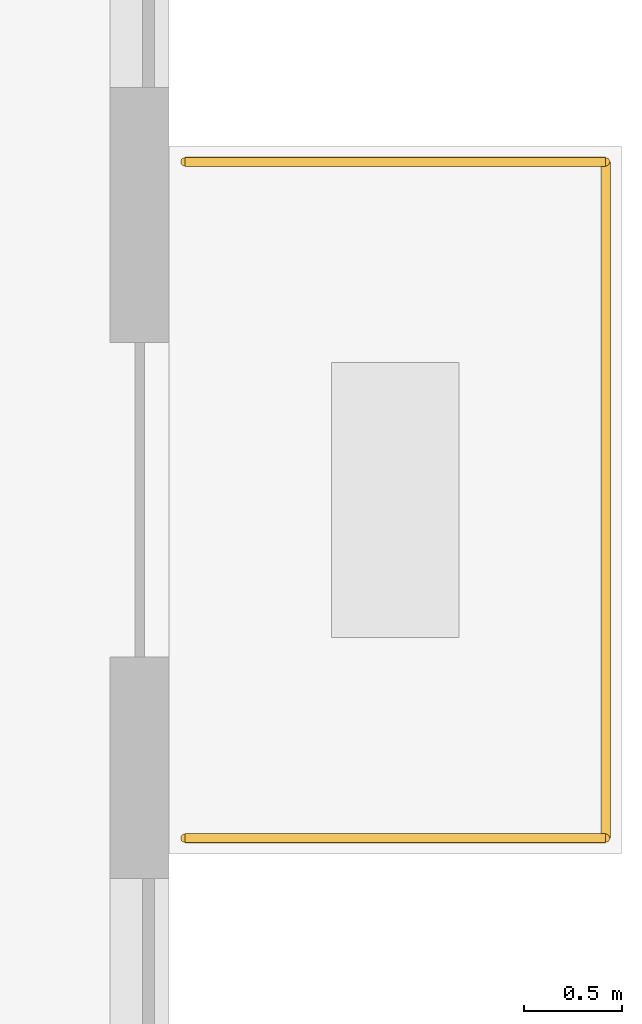
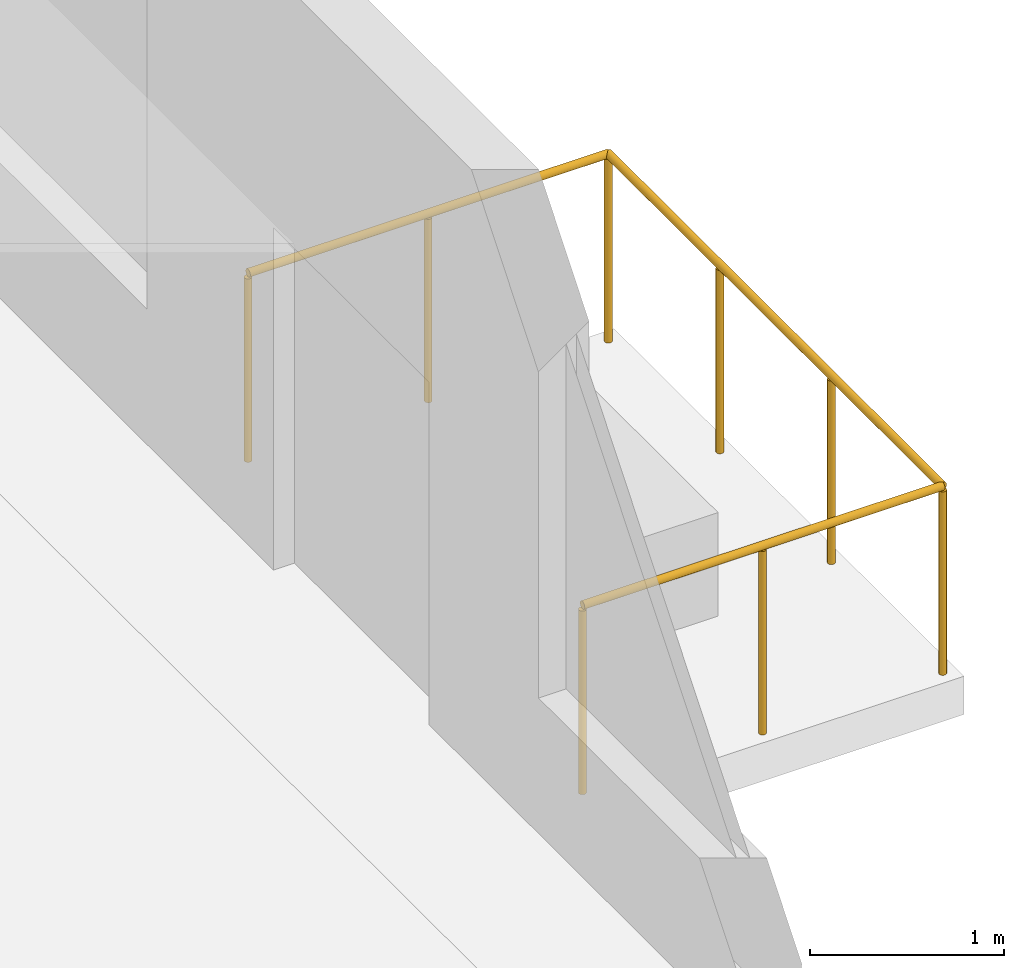
# One storey, part 11 of 11: 3 railings.
"""IFC4 building model written with IfcOpenShell, lengths in metres."""

from ifc_helpers import new_model, si_unit, direction, frame, origin, origin_2d, place, context, subcontext, project, spatial, circle, extrude, material, type_object, element, save


model = new_model("IFC4")

# Units and contexts
model_context = context("Model", 3, precision=1e-05, world=origin(), true_north=direction((0.0, 1.0)))
body_context = subcontext(model_context, "Body", "Model", "MODEL_VIEW")
ifc_project = project(units=[si_unit("LENGTHUNIT", "METRE"), si_unit("AREAUNIT", "SQUARE_METRE"), si_unit("VOLUMEUNIT", "CUBIC_METRE"), si_unit("PLANEANGLEUNIT", "RADIAN"), si_unit("MASSUNIT", "GRAM", prefix="KILO")], contexts=[model_context])

# Site, building, storey
site_placement = place(None, origin())
site = spatial("IfcSite", under=ifc_project, at=site_placement, CompositionType="ELEMENT")
building_placement = place(site_placement, origin())
building = spatial("IfcBuilding", under=site, at=building_placement, Name="Calvemar Wedge Station Tower", CompositionType="ELEMENT")
storey_placement = place(building_placement, frame((0.0, 0.0, 27.0)))
storey = spatial("IfcBuildingStorey", under=building, at=storey_placement, Name="L06", CompositionType="ELEMENT", Elevation=27.0)

# Railings
ifc_material = material(Name="Stainless steel AISI 316L", Category="steel")
railing_type = type_object("IfcRailingType", Name="GRD-TERR-1200", PredefinedType="GUARDRAIL", material=ifc_material)
railing_1_placement = place(storey_placement, frame((61.080078125, 40.330078125, 0.0)))
element("IfcRailing", 1, at=railing_1_placement, inside=storey, type_object=railing_type, Name="Storey L06 Spiral Terrace Guard 2", PredefinedType="GUARDRAIL", context=body_context, shape_type="SweptSolid", body=[
    extrude(circle(Radius=0.02392578125, at=origin_2d()), frame((0.0, 0.0, 1.17578125), z_axis=(1.0, 0.0, 0.0), x_axis=(0.0, 1.0, 0.0)), (0.0, 0.0, 1.0), 2.139892578125),
    extrude(circle(Radius=0.02099609375, at=origin_2d()), origin(), (0.0, 0.0, 1.0), 1.15185546875),
    extrude(circle(Radius=0.02099609375, at=origin_2d()), frame((1.06982421875, 0.0, 0.0)), (0.0, 0.0, 1.0), 1.15185546875),
    extrude(circle(Radius=0.02099609375, at=origin_2d()), frame((2.139892578125, 0.0, 0.0)), (0.0, 0.0, 1.0), 1.15185546875),
])
railing_2_placement = place(storey_placement, frame((63.219970703125, 40.330078125, 0.0)))
element("IfcRailing", 2, at=railing_2_placement, inside=storey, type_object=railing_type, Name="Storey L06 Spiral Terrace Guard 3", PredefinedType="GUARDRAIL", context=body_context, shape_type="SweptSolid", body=[
    extrude(circle(Radius=0.02392578125, at=origin_2d()), frame((0.0, 0.0, 1.17578125), z_axis=(0.0, -1.0, 0.0), x_axis=(1.0, 0.0, 0.0)), (0.0, 0.0, 1.0), 3.440185546875),
    extrude(circle(Radius=0.02099609375, at=origin_2d()), origin(), (0.0, 0.0, 1.0), 1.15185546875),
    extrude(circle(Radius=0.02099609375, at=origin_2d()), frame((0.0, -1.146728515625, 0.0)), (0.0, 0.0, 1.0), 1.15185546875),
    extrude(circle(Radius=0.02099609375, at=origin_2d()), frame((0.0, -2.29345703125, 0.0)), (0.0, 0.0, 1.0), 1.15185546875),
    extrude(circle(Radius=0.02099609375, at=origin_2d()), frame((0.0, -3.440185546875, 0.0)), (0.0, 0.0, 1.0), 1.15185546875),
])
railing_3_placement = place(storey_placement, frame((63.219970703125, 36.889892578125, 0.0)))
element("IfcRailing", 3, at=railing_3_placement, inside=storey, type_object=railing_type, Name="Storey L06 Spiral Terrace Guard 4", PredefinedType="GUARDRAIL", context=body_context, shape_type="SweptSolid", body=[
    extrude(circle(Radius=0.02392578125, at=origin_2d()), frame((0.0, 0.0, 1.17578125), z_axis=(-1.0, 0.0, 0.0), x_axis=(0.0, -1.0, 0.0)), (0.0, 0.0, 1.0), 2.139892578125),
    extrude(circle(Radius=0.02099609375, at=origin_2d()), origin(), (0.0, 0.0, 1.0), 1.15185546875),
    extrude(circle(Radius=0.02099609375, at=origin_2d()), frame((-1.06982421875, 0.0, 0.0)), (0.0, 0.0, 1.0), 1.15185546875),
    extrude(circle(Radius=0.02099609375, at=origin_2d()), frame((-2.139892578125, 0.0, 0.0)), (0.0, 0.0, 1.0), 1.15185546875),
])

save(model, "model.ifc")
